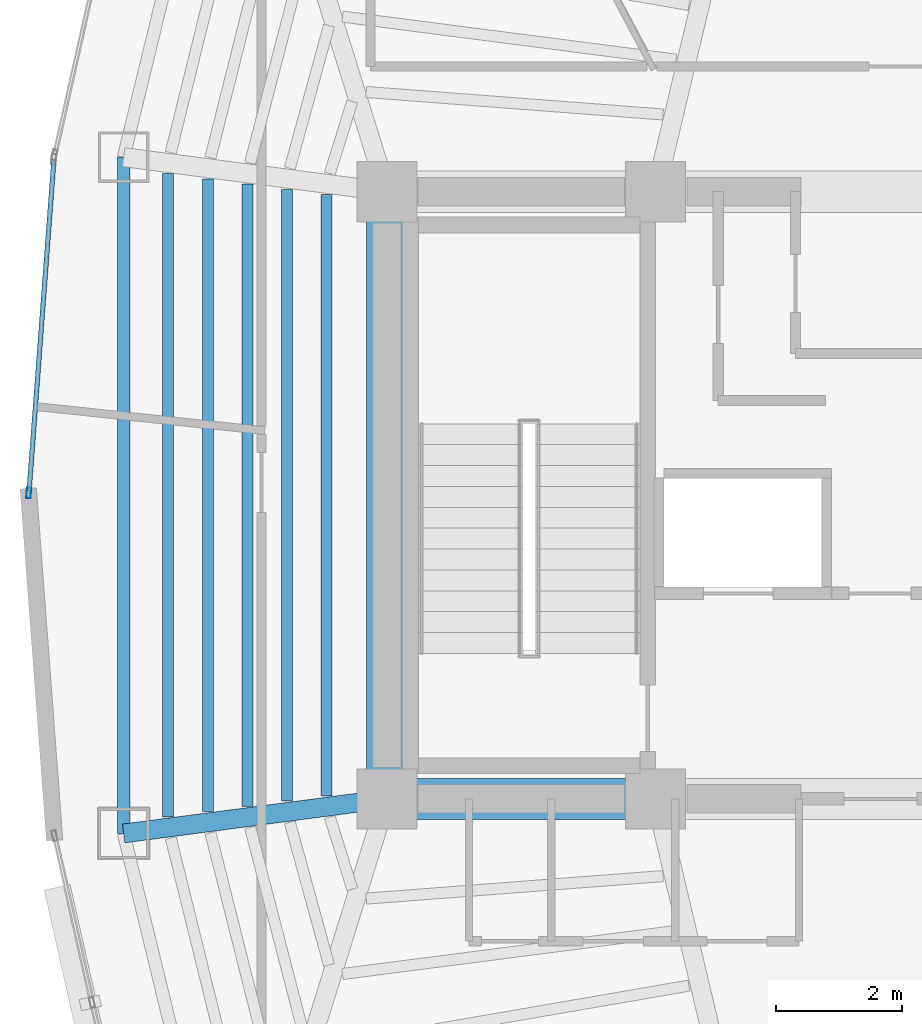
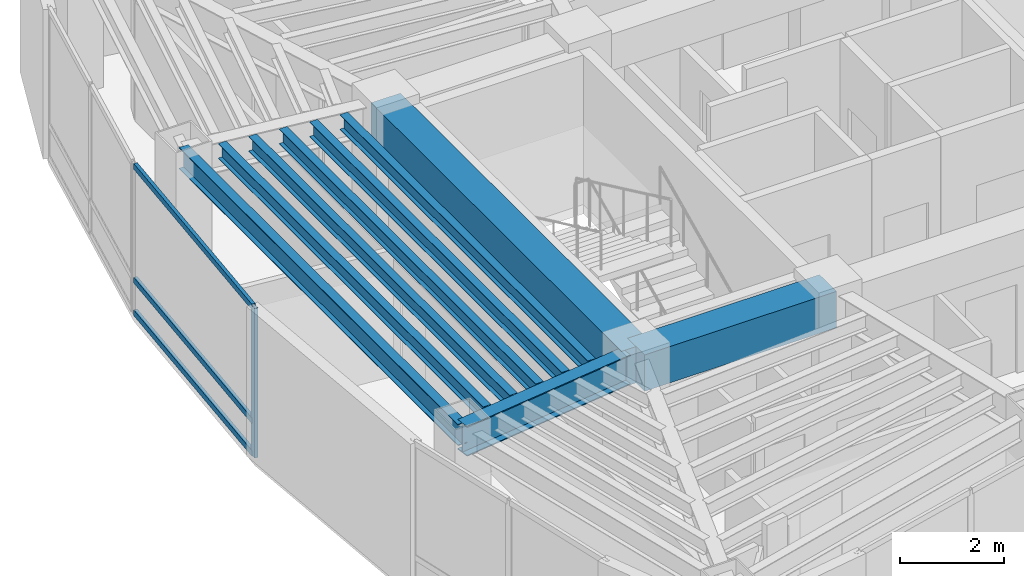
# One storey, part 4 of 16: 9 beams, 4 members, 1 element without a shape of its own.
"""IFC4 building model written with IfcOpenShell, lengths in metres."""

from ifc_helpers import new_model, si_unit, direction, frame, origin, origin_2d, place, context, subcontext, project, spatial, rectangle, hollow_rectangle, i_section, extrude, material, layer, layer_set, material_profile, profile_set, type_object, element, aggregate, save


model = new_model("IFC4")

# Units and contexts
model_context = context("Model", 3, precision=1e-05, world=origin(), true_north=direction((0.0, 1.0)))
body_context = subcontext(model_context, "Body", "Model", "MODEL_VIEW")
ifc_project = project(units=[si_unit("LENGTHUNIT", "METRE"), si_unit("AREAUNIT", "SQUARE_METRE"), si_unit("VOLUMEUNIT", "CUBIC_METRE"), si_unit("PLANEANGLEUNIT", "RADIAN"), si_unit("MASSUNIT", "GRAM", prefix="KILO")], contexts=[model_context])

# Site, building, storey
site_placement = place(None, origin())
site = spatial("IfcSite", under=ifc_project, at=site_placement, CompositionType="ELEMENT")
building_placement = place(site_placement, origin())
building = spatial("IfcBuilding", under=site, at=building_placement, Name="Menara Vayukalpa", CompositionType="ELEMENT")
storey_placement = place(building_placement, frame((0.0, 0.0, 247.139892578125)))
storey = spatial("IfcBuildingStorey", under=building, at=storey_placement, Name="L62", CompositionType="ELEMENT", Elevation=247.139892578125)

# Beams
ifc_material_1 = material(Name="Concrete C60/75", Category="concrete")
ifc_material_profile_1 = material_profile(ifc_material_1, rectangle(XDim=0.64990234375, YDim=0.85009765625, at=origin_2d()), Name="RC 650x850")
ifc_profile_set_1 = profile_set([ifc_material_profile_1], Name="Concrete C60/75")
beam_type_1 = type_object("IfcBeamType", Name="BM-CB1", PredefinedType="BEAM", material=ifc_profile_set_1)
beam_1_placement = place(storey_placement, frame((17.800048828125, 17.199951171875, 3.0751953125), z_axis=(1.0, 0.0, 0.0), x_axis=(0.0, 1.0, 0.0)))
element("IfcBeam", 1, at=beam_1_placement, inside=storey, type_object=beam_type_1, Name="L62 Core Tie Beam CBR1", PredefinedType="BEAM", context=body_context, shape_type="SweptSolid", body=[
    extrude(rectangle(XDim=0.64990234375, YDim=0.85009765625, at=origin_2d()), origin(), (0.0, 0.0, 1.0), 4.25),
])
beam_2_placement = place(storey_placement, frame((17.800048828125, 17.199951171875, 3.0751953125), z_axis=(0.0, 1.0, 0.0), x_axis=(-1.0, 0.0, 0.0)))
element("IfcBeam", 2, at=beam_2_placement, inside=storey, type_object=beam_type_1, Name="L62 Core Tie Beam CBR7", PredefinedType="BEAM", context=body_context, shape_type="SweptSolid", body=[
    extrude(rectangle(XDim=0.64990234375, YDim=0.85009765625, at=origin_2d()), origin(), (0.0, 0.0, 1.0), 9.60009765625),
])
ifc_material_2 = material(Name="Steel S355", Category="steel")
ifc_material_profile_2 = material_profile(ifc_material_2, i_section(OverallWidth=0.300048828125, OverallDepth=0.699951171875, WebThickness=0.012939453125, FlangeThickness=0.02392578125, at=origin_2d()), Name="WF 700x300x13x24")
ifc_profile_set_2 = profile_set([ifc_material_profile_2], Name="Steel S355")
beam_type_2 = type_object("IfcBeamType", Name="BM-PG5", PredefinedType="BEAM", material=ifc_profile_set_2)
beam_3_placement = place(storey_placement, frame((17.552001953125, 17.16748046875, 3.150146484375), z_axis=(-0.991477860763, -0.130275291662, 0.0), x_axis=(0.130275291662, -0.991477860763, 0.0)))
element("IfcBeam", 3, at=beam_3_placement, inside=storey, type_object=beam_type_2, Name="L62 Primary Radial Girder RG06", PredefinedType="BEAM", context=body_context, shape_type="SweptSolid", body=[
    extrude(i_section(OverallWidth=0.300048828125, OverallDepth=0.699951171875, WebThickness=0.012939453125, FlangeThickness=0.02392578125, at=origin_2d()), origin(), (0.0, 0.0, 1.0), 3.94677734375),
])
ifc_material_3 = material(Name="Steel S355", Category="steel")
ifc_material_profile_3 = material_profile(ifc_material_3, i_section(OverallWidth=0.175048828125, OverallDepth=0.35009765625, WebThickness=0.007080078125, FlangeThickness=0.010986328125, at=origin_2d()), Name="WF 350x175x7x11")
ifc_profile_set_3 = profile_set([ifc_material_profile_3], Name="Steel S355")
beam_type_3 = type_object("IfcBeamType", Name="BM-SJ3", PredefinedType="JOIST", material=ifc_profile_set_3)
beam_4_placement = place(storey_placement, frame((16.84765625, 26.755126953125, 3.3251953125), z_axis=(0.0, -1.0, 0.0), x_axis=(1.0, 0.0, 0.0)))
element("IfcBeam", 4, at=beam_4_placement, inside=storey, type_object=beam_type_3, Name="L62 Secondary Floor Joist SJ05-1", PredefinedType="JOIST", context=body_context, shape_type="SweptSolid", body=[
    extrude(i_section(OverallWidth=0.175048828125, OverallDepth=0.35009765625, WebThickness=0.007080078125, FlangeThickness=0.010986328125, at=origin_2d()), origin(), (0.0, 0.0, 1.0), 9.51025390625),
])
beam_5_placement = place(storey_placement, frame((16.2216796875, 26.83740234375, 3.3251953125), z_axis=(0.0, -1.0, 0.0), x_axis=(1.0, 0.0, 0.0)))
element("IfcBeam", 5, at=beam_5_placement, inside=storey, type_object=beam_type_3, Name="L62 Secondary Floor Joist SJ05-2", PredefinedType="JOIST", context=body_context, shape_type="SweptSolid", body=[
    extrude(i_section(OverallWidth=0.175048828125, OverallDepth=0.35009765625, WebThickness=0.007080078125, FlangeThickness=0.010986328125, at=origin_2d()), origin(), (0.0, 0.0, 1.0), 9.6748046875),
])
beam_6_placement = place(storey_placement, frame((15.595458984375, 26.919677734375, 3.3251953125), z_axis=(0.0, -1.0, 0.0), x_axis=(1.0, 0.0, 0.0)))
element("IfcBeam", 6, at=beam_6_placement, inside=storey, type_object=beam_type_3, Name="L62 Secondary Floor Joist SJ05-3", PredefinedType="JOIST", context=body_context, shape_type="SweptSolid", body=[
    extrude(i_section(OverallWidth=0.175048828125, OverallDepth=0.35009765625, WebThickness=0.007080078125, FlangeThickness=0.010986328125, at=origin_2d()), origin(), (0.0, 0.0, 1.0), 9.83935546875),
])
beam_7_placement = place(storey_placement, frame((14.969482421875, 27.001953125, 3.3251953125), z_axis=(0.0, -1.0, 0.0), x_axis=(1.0, 0.0, 0.0)))
element("IfcBeam", 7, at=beam_7_placement, inside=storey, type_object=beam_type_3, Name="L62 Secondary Floor Joist SJ05-4", PredefinedType="JOIST", context=body_context, shape_type="SweptSolid", body=[
    extrude(i_section(OverallWidth=0.175048828125, OverallDepth=0.35009765625, WebThickness=0.007080078125, FlangeThickness=0.010986328125, at=origin_2d()), origin(), (0.0, 0.0, 1.0), 10.00390625),
])
beam_8_placement = place(storey_placement, frame((14.343505859375, 27.084228515625, 3.3251953125), z_axis=(0.0, -1.0, 0.0), x_axis=(1.0, 0.0, 0.0)))
element("IfcBeam", 8, at=beam_8_placement, inside=storey, type_object=beam_type_3, Name="L62 Secondary Floor Joist SJ05-5", PredefinedType="JOIST", context=body_context, shape_type="SweptSolid", body=[
    extrude(i_section(OverallWidth=0.175048828125, OverallDepth=0.35009765625, WebThickness=0.007080078125, FlangeThickness=0.010986328125, at=origin_2d()), origin(), (0.0, 0.0, 1.0), 10.16845703125),
])
ifc_material_4 = material(Name="Steel S355", Category="steel")
ifc_material_profile_4 = material_profile(ifc_material_4, i_section(OverallWidth=0.199951171875, OverallDepth=0.5, WebThickness=0.010009765625, FlangeThickness=0.01611328125, at=origin_2d()), Name="WF 500x200x10x16")
ifc_profile_set_4 = profile_set([ifc_material_profile_4], Name="Steel S355")
beam_type_4 = type_object("IfcBeamType", Name="BM-SP3", PredefinedType="SPANDREL", material=ifc_profile_set_4)
beam_9_placement = place(storey_placement, frame((13.638916015625, 27.3466796875, 3.25), z_axis=(0.0, -1.0, 0.0), x_axis=(1.0, 0.0, 0.0)))
element("IfcBeam", 9, at=beam_9_placement, inside=storey, type_object=beam_type_4, Name="L62 Perimeter Spandrel Beam SP05", PredefinedType="SPANDREL", context=body_context, shape_type="SweptSolid", body=[
    extrude(i_section(OverallWidth=0.199951171875, OverallDepth=0.5, WebThickness=0.010009765625, FlangeThickness=0.01611328125, at=origin_2d()), origin(), (0.0, 0.0, 1.0), 10.693359375),
])

# Curtain wall, members
ifc_material_5 = material(Name="Anodised Terracotta Aluminium Alloy 6063-T6", Category="masonry")
ifc_layer = layer(ifc_material_5, 0.1650390625)
ifc_layer_set = layer_set([ifc_layer], Name="Anodised Terracotta Aluminium Alloy 6063-T6")
curtain_wall_type = type_object("IfcCurtainWallType", Name="CW-CW6", PredefinedType="USERDEFINED", material=ifc_layer_set)
curtain_wall_placement = place(storey_placement, origin())
curtain_wall = element("IfcCurtainWall", 10, at=curtain_wall_placement, inside=storey, type_object=curtain_wall_type, Name="L62 Observation and Executive Curtain Wall CW6 11", ObjectType="UNITISED", PredefinedType="USERDEFINED")
ifc_material_6 = material(Name="Anodised Terracotta Aluminium Alloy 6063-T6", Category="masonry")
ifc_material_profile_5 = material_profile(ifc_material_6, hollow_rectangle(XDim=0.070068359375, YDim=0.1650390625, WallThickness=0.00390625, at=origin_2d()), Name="ALU 70x165x4")
ifc_profile_set_5 = profile_set([ifc_material_profile_5], Name="Anodised Terracotta Aluminium Alloy 6063-T6")
member_type_1 = type_object("IfcMemberType", Name="CWM-CW6", PredefinedType="MULLION", material=ifc_profile_set_5)
member_1_placement = place(storey_placement, frame((12.140625, 22.034912109375, 0.0), z_axis=(0.0, 0.0, 1.0), x_axis=(0.997199344663, -0.074789484574, 0.0)))
member_1 = element("IfcMember", 11, at=member_1_placement, type_object=member_type_1, Name="CW6 mullion 2", PredefinedType="MULLION", context=body_context, shape_type="SweptSolid", body=[
    extrude(hollow_rectangle(XDim=0.070068359375, YDim=0.1650390625, WallThickness=0.00390625, at=origin_2d()), origin(), (0.0, 0.0, 1.0), 3.5),
])
ifc_material_7 = material(Name="Anodised Terracotta Aluminium Alloy 6063-T6", Category="masonry")
ifc_material_profile_6 = material_profile(ifc_material_7, hollow_rectangle(XDim=0.074951171875, YDim=0.135009765625, WallThickness=0.00390625, at=origin_2d()), Name="ALU 75x135x4")
ifc_profile_set_6 = profile_set([ifc_material_profile_6], Name="Anodised Terracotta Aluminium Alloy 6063-T6")
member_type_2 = type_object("IfcMemberType", Name="CWT-CW6", PredefinedType="USERDEFINED", material=ifc_profile_set_6)
member_2_placement = place(storey_placement, frame((12.53369140625, 27.27685546875, 0.03759765625), z_axis=(-0.074762051827, -0.997201401727, 0.0), x_axis=(0.997201401727, -0.074762051827, 0.0)))
member_2 = element("IfcMember", 12, at=member_2_placement, type_object=member_type_2, Name="CW6 transom 1.1", ObjectType="TRANSOM", PredefinedType="USERDEFINED", context=body_context, shape_type="SweptSolid", body=[
    extrude(hollow_rectangle(XDim=0.074951171875, YDim=0.135009765625, WallThickness=0.00390625, at=origin_2d()), origin(), (0.0, 0.0, 1.0), 5.2216796875),
])
member_3_placement = place(storey_placement, frame((12.53369140625, 27.27685546875, 0.800048828125), z_axis=(-0.074762051827, -0.997201401727, 0.0), x_axis=(0.997201401727, -0.074762051827, 0.0)))
member_3 = element("IfcMember", 13, at=member_3_placement, type_object=member_type_2, Name="CW6 transom 1.2", ObjectType="TRANSOM", PredefinedType="USERDEFINED", context=body_context, shape_type="SweptSolid", body=[
    extrude(hollow_rectangle(XDim=0.074951171875, YDim=0.135009765625, WallThickness=0.00390625, at=origin_2d()), origin(), (0.0, 0.0, 1.0), 5.2216796875),
])
member_4_placement = place(storey_placement, frame((12.53369140625, 27.27685546875, 3.462646484375), z_axis=(-0.074762051827, -0.997201401727, 0.0), x_axis=(0.997201401727, -0.074762051827, 0.0)))
member_4 = element("IfcMember", 14, at=member_4_placement, type_object=member_type_2, Name="CW6 transom 1.3", ObjectType="TRANSOM", PredefinedType="USERDEFINED", context=body_context, shape_type="SweptSolid", body=[
    extrude(hollow_rectangle(XDim=0.074951171875, YDim=0.135009765625, WallThickness=0.00390625, at=origin_2d()), origin(), (0.0, 0.0, 1.0), 5.2216796875),
])
aggregate(curtain_wall, [member_1, member_2, member_3, member_4])

save(model, "model.ifc")
